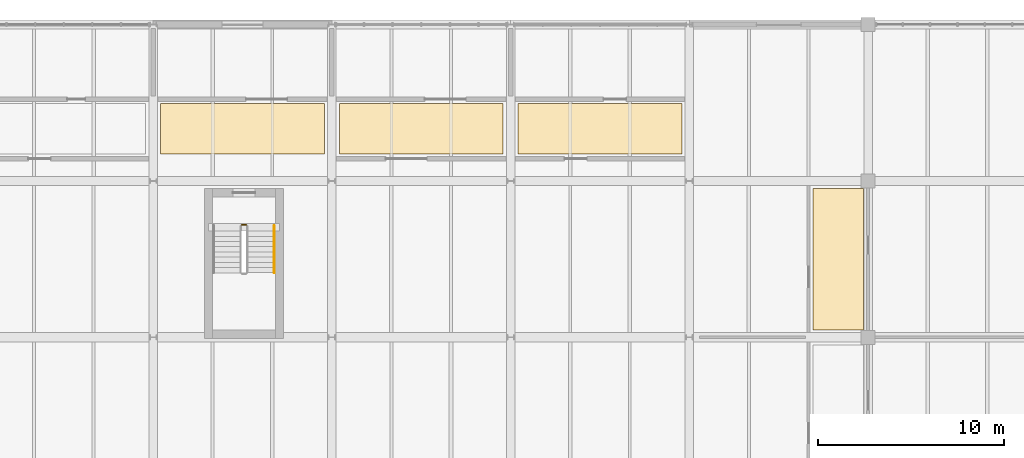
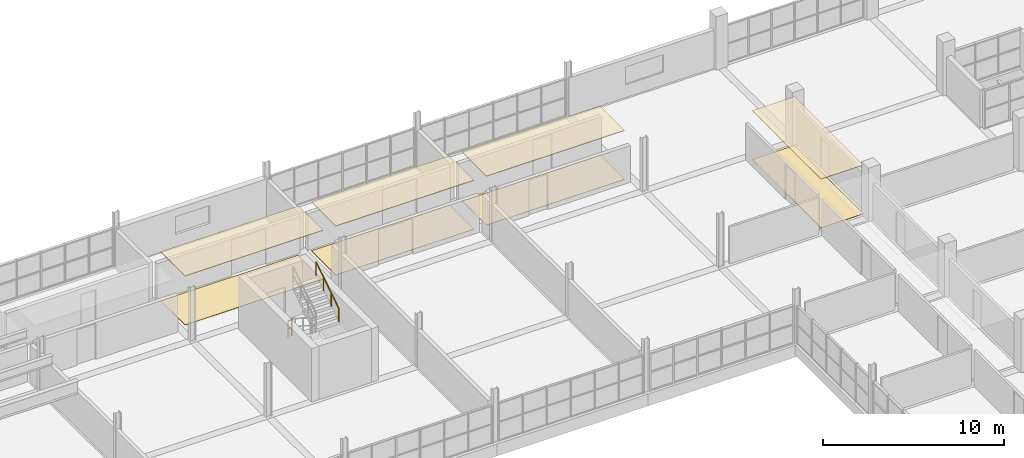
# One storey, part 140 of 147: 8 coverings, 2 railings.
"""IFC4 building model written with IfcOpenShell, lengths in metres."""

from ifc_helpers import new_model, si_unit, direction, frame, origin, origin_2d, place, context, subcontext, project, spatial, polyline, circle, outline, extrude, material, layer, layer_set, type_object, element, save


model = new_model("IFC4")

# Units and contexts
model_context = context("Model", 3, precision=1e-05, world=origin(), true_north=direction((0.0, 1.0)))
body_context = subcontext(model_context, "Body", "Model", "MODEL_VIEW")
ifc_project = project(units=[si_unit("LENGTHUNIT", "METRE"), si_unit("AREAUNIT", "SQUARE_METRE"), si_unit("VOLUMEUNIT", "CUBIC_METRE"), si_unit("PLANEANGLEUNIT", "RADIAN"), si_unit("MASSUNIT", "GRAM", prefix="KILO")], contexts=[model_context])

# Site, building, storey
site_placement = place(None, origin())
site = spatial("IfcSite", under=ifc_project, at=site_placement, CompositionType="ELEMENT")
building_placement = place(site_placement, origin())
building = spatial("IfcBuilding", under=site, at=building_placement, Name="Oolite Switchyard Hospital", CompositionType="ELEMENT")
storey_placement = place(building_placement, frame((0.0, 0.0, 9.89990234375)))
storey = spatial("IfcBuildingStorey", under=building, at=storey_placement, Name="L02", CompositionType="ELEMENT", Elevation=9.89990234375)

# Coverings
ifc_material_1 = material(Name="Hygienic washable mineral-fibre acoustic ceiling")
ifc_layer_1 = layer(ifc_material_1, 0.0400390625)
ifc_layer_set_1 = layer_set([ifc_layer_1], Name="COV-CEIL-AC60")
covering_type_1 = type_object("IfcCoveringType", Name="COV-CEIL-AC60", PredefinedType="CEILING", material=ifc_layer_set_1)
covering_1_placement = place(storey_placement, frame((0.0, 0.0, 3.28515625)))
element("IfcCovering", 1, at=covering_1_placement, inside=storey, type_object=covering_type_1, Name="L02 Interstitial Engineering and Pharmacy Corridor Ceiling 9", PredefinedType="CEILING", context=body_context, shape_type="SweptSolid", body=[
    extrude(outline(polyline([(86.800048828125, 102.25), (95.60009765625, 102.25), (95.60009765625, 104.949951171875), (86.800048828125, 104.949951171875), (86.800048828125, 102.25)])), origin(), (0.0, 0.0, 1.0), 0.0400390625),
])
covering_2_placement = place(storey_placement, frame((0.0, 0.0, 3.28515625)))
element("IfcCovering", 2, at=covering_2_placement, inside=storey, type_object=covering_type_1, Name="L02 Interstitial Engineering and Pharmacy Corridor Ceiling 10", PredefinedType="CEILING", context=body_context, shape_type="SweptSolid", body=[
    extrude(outline(polyline([(96.39990234375, 102.25), (105.199951171875, 102.25), (105.199951171875, 104.949951171875), (96.39990234375, 104.949951171875), (96.39990234375, 102.25)])), origin(), (0.0, 0.0, 1.0), 0.0400390625),
])
covering_3_placement = place(storey_placement, frame((0.0, 0.0, 3.28515625)))
element("IfcCovering", 3, at=covering_3_placement, inside=storey, type_object=covering_type_1, Name="L02 Interstitial Engineering and Pharmacy Corridor Ceiling 11", PredefinedType="CEILING", context=body_context, shape_type="SweptSolid", body=[
    extrude(outline(polyline([(106.0, 102.25), (114.800048828125, 102.25), (114.800048828125, 104.949951171875), (106.0, 104.949951171875), (106.0, 102.25)])), origin(), (0.0, 0.0, 1.0), 0.0400390625),
])
covering_4_placement = place(storey_placement, frame((0.0, 0.0, 3.27001953125)))
element("IfcCovering", 4, at=covering_4_placement, inside=storey, type_object=covering_type_1, Name="L02 Histopathology and Cytology Corridor L02 Ceiling 8", PredefinedType="CEILING", context=body_context, shape_type="SweptSolid", body=[
    extrude(outline(polyline([(121.85009765625, 92.800048828125), (124.550048828125, 92.800048828125), (124.550048828125, 100.39990234375), (121.85009765625, 100.39990234375), (121.85009765625, 92.800048828125)])), origin(), (0.0, 0.0, 1.0), 0.0400390625),
])
ifc_material_2 = material(Name="Epoxy terrazzo seamless clinical flooring")
ifc_layer_2 = layer(ifc_material_2, 0.02001953125)
ifc_layer_set_2 = layer_set([ifc_layer_2], Name="COV-FLR-TER20")
covering_type_2 = type_object("IfcCoveringType", Name="COV-FLR-TER20", PredefinedType="FLOORING", material=ifc_layer_set_2)
covering_5_placement = place(storey_placement, origin())
element("IfcCovering", 5, at=covering_5_placement, inside=storey, type_object=covering_type_2, Name="L02 Interstitial Engineering and Pharmacy Corridor Flooring 9", PredefinedType="FLOORING", context=body_context, shape_type="SweptSolid", body=[
    extrude(outline(polyline([(86.800048828125, 102.25), (95.60009765625, 102.25), (95.60009765625, 104.949951171875), (86.800048828125, 104.949951171875), (86.800048828125, 102.25)])), origin(), (0.0, 0.0, 1.0), 0.02001953125),
])
covering_6_placement = place(storey_placement, origin())
element("IfcCovering", 6, at=covering_6_placement, inside=storey, type_object=covering_type_2, Name="L02 Interstitial Engineering and Pharmacy Corridor Flooring 10", PredefinedType="FLOORING", context=body_context, shape_type="SweptSolid", body=[
    extrude(outline(polyline([(96.39990234375, 102.25), (105.199951171875, 102.25), (105.199951171875, 104.949951171875), (96.39990234375, 104.949951171875), (96.39990234375, 102.25)])), origin(), (0.0, 0.0, 1.0), 0.02001953125),
])
covering_7_placement = place(storey_placement, origin())
element("IfcCovering", 7, at=covering_7_placement, inside=storey, type_object=covering_type_2, Name="L02 Interstitial Engineering and Pharmacy Corridor Flooring 11", PredefinedType="FLOORING", context=body_context, shape_type="SweptSolid", body=[
    extrude(outline(polyline([(106.0, 102.25), (114.800048828125, 102.25), (114.800048828125, 104.949951171875), (106.0, 104.949951171875), (106.0, 102.25)])), origin(), (0.0, 0.0, 1.0), 0.02001953125),
])
covering_8_placement = place(storey_placement, origin())
element("IfcCovering", 8, at=covering_8_placement, inside=storey, type_object=covering_type_2, Name="L02 Histopathology and Cytology Corridor L02 Flooring 8", PredefinedType="FLOORING", context=body_context, shape_type="SweptSolid", body=[
    extrude(outline(polyline([(121.85009765625, 92.800048828125), (124.550048828125, 92.800048828125), (124.550048828125, 100.39990234375), (121.85009765625, 100.39990234375), (121.85009765625, 92.800048828125)])), origin(), (0.0, 0.0, 1.0), 0.02001953125),
])

# Railings
ifc_material_3 = material(Name="Galvanized painted architectural steel handrail", Category="steel")
railing_type_1 = type_object("IfcRailingType", Name="RL-STAIR-GRD", PredefinedType="GUARDRAIL", material=ifc_material_3)
railing_1_placement = place(storey_placement, frame((91.159912109375, 98.43994140625, 0.0)))
element("IfcRailing", 9, at=railing_1_placement, inside=storey, type_object=railing_type_1, Name="L02 ST-09 stair guard 4", PredefinedType="GUARDRAIL", context=body_context, shape_type="SweptSolid", body=[
    extrude(circle(Radius=0.02392578125, at=origin_2d()), frame((0.0, 0.0, 1.076171875), z_axis=(1.0, 0.0, 0.0), x_axis=(0.0, 1.0, 0.0)), (0.0, 0.0, 1.0), 0.239990234375),
    extrude(circle(Radius=0.015625, at=origin_2d()), frame((0.0, 0.0, 0.550048828125), z_axis=(1.0, 0.0, 0.0), x_axis=(0.0, 1.0, 0.0)), (0.0, 0.0, 1.0), 0.239990234375),
    extrude(circle(Radius=0.02099609375, at=origin_2d()), origin(), (0.0, 0.0, 1.0), 1.052001953125),
    extrude(circle(Radius=0.02099609375, at=origin_2d()), frame((0.239990234375, 0.0, 0.0)), (0.0, 0.0, 1.0), 1.052001953125),
])
railing_type_2 = type_object("IfcRailingType", Name="RL-STAIR-HND", PredefinedType="HANDRAIL", material=ifc_material_3)
railing_2_placement = place(storey_placement, frame((92.909912109375, 95.8701171875, 1.97998046875)))
element("IfcRailing", 10, at=railing_2_placement, inside=storey, type_object=railing_type_2, Name="L02 ST-09 stair handrail 2", PredefinedType="HANDRAIL", context=body_context, shape_type="SweptSolid", body=[
    extrude(circle(Radius=0.02392578125, at=origin_2d()), frame((0.0, 0.0, 0.8759765625), z_axis=(0.0, 0.841138753965, 0.540819375188), x_axis=(-1.0, 0.0, 0.0)), (0.0, 0.0, 1.0), 2.99560546875),
    extrude(circle(Radius=0.02099609375, at=origin_2d()), origin(), (0.0, 0.0, 1.0), 0.851806640625),
    extrude(circle(Radius=0.02099609375, at=origin_2d()), frame((0.0, 0.83984375, 0.5400390625)), (0.0, 0.0, 1.0), 0.851806640625),
    extrude(circle(Radius=0.02099609375, at=origin_2d()), frame((0.0, 1.679931640625, 1.080078125)), (0.0, 0.0, 1.0), 0.851806640625),
    extrude(circle(Radius=0.02099609375, at=origin_2d()), frame((0.0, 2.519775390625, 1.6201171875)), (0.0, 0.0, 1.0), 0.851806640625),
])

save(model, "model.ifc")
